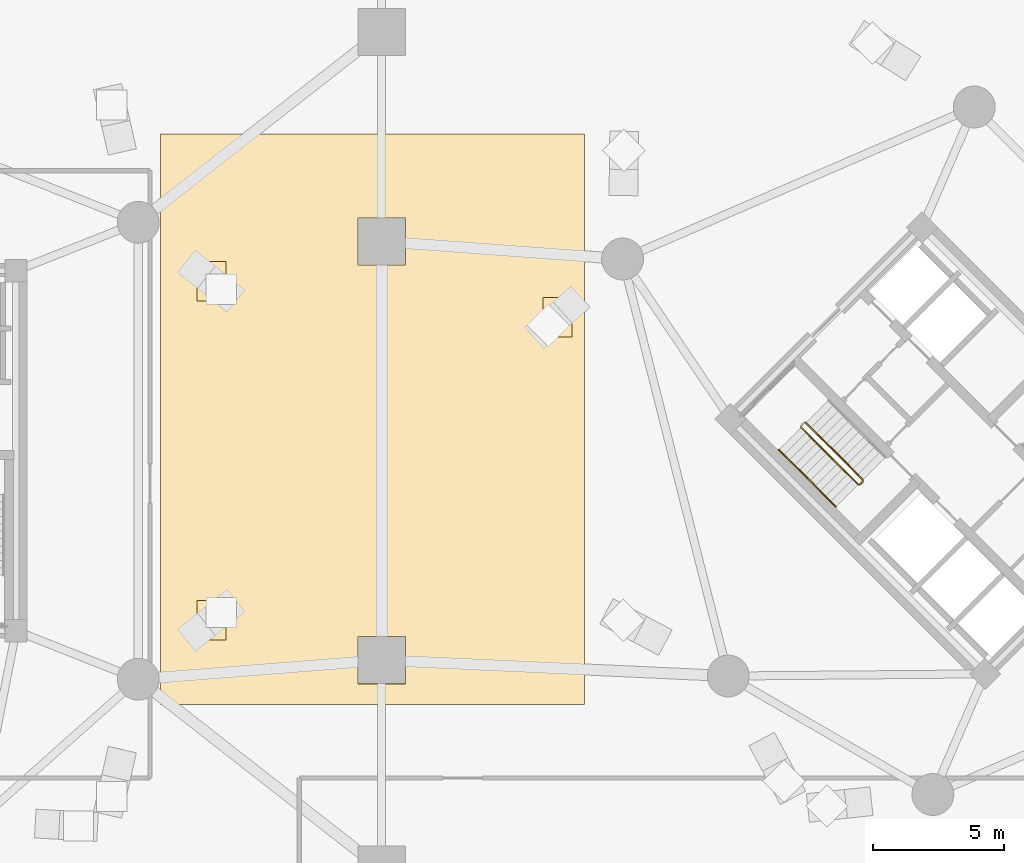
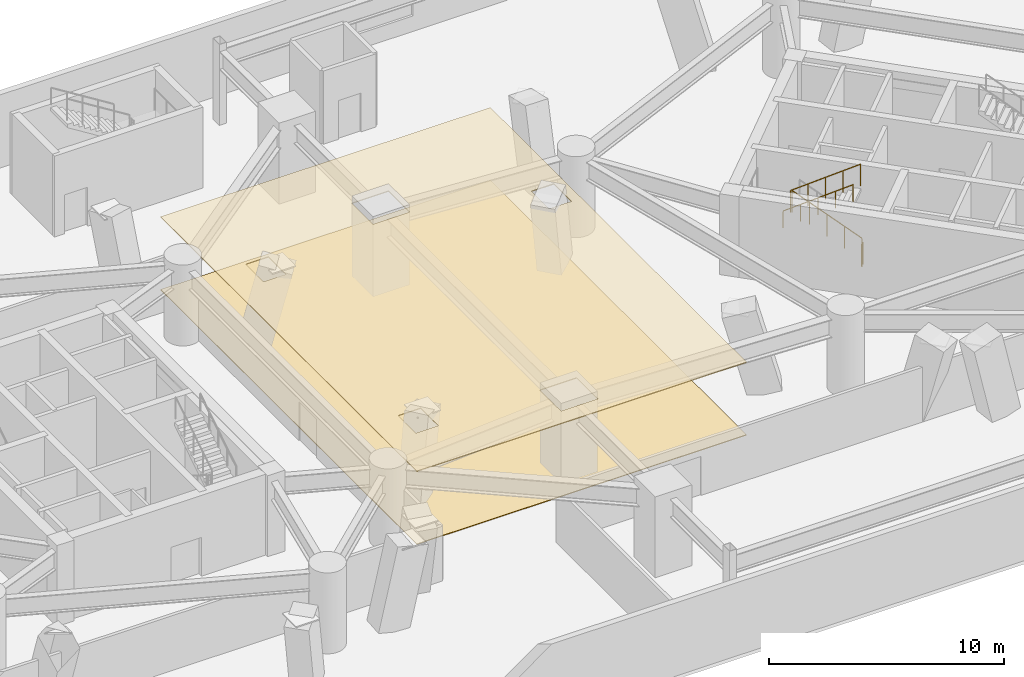
# One storey, part 17 of 20: 4 railings, 2 coverings.
"""IFC4 building model written with IfcOpenShell, lengths in metres."""

from ifc_helpers import new_model, si_unit, direction, frame, origin, origin_2d, place, context, subcontext, project, spatial, polyline, circle, outline, extrude, material, layer, layer_set, type_object, element, save


model = new_model("IFC4")

# Units and contexts
model_context = context("Model", 3, precision=1e-05, world=origin(), true_north=direction((0.0, 1.0)))
body_context = subcontext(model_context, "Body", "Model", "MODEL_VIEW")
ifc_project = project(units=[si_unit("LENGTHUNIT", "METRE"), si_unit("AREAUNIT", "SQUARE_METRE"), si_unit("VOLUMEUNIT", "CUBIC_METRE"), si_unit("PLANEANGLEUNIT", "RADIAN"), si_unit("MASSUNIT", "GRAM", prefix="KILO")], contexts=[model_context])

# Site, building, storey
site_placement = place(None, origin())
site = spatial("IfcSite", under=ifc_project, at=site_placement, CompositionType="ELEMENT")
building_placement = place(site_placement, origin())
building = spatial("IfcBuilding", under=site, at=building_placement, Name="Cununo Teusaquillo Station Towers", CompositionType="ELEMENT")
storey_placement = place(building_placement, frame((0.0, 0.0, 13.199951171875)))
storey = spatial("IfcBuildingStorey", under=building, at=storey_placement, Name="L03", CompositionType="ELEMENT", Elevation=13.199951171875)

# Coverings
ifc_material_1 = material(Name="Mineral-fibre acoustic suspended ceiling tile", Category="finish")
ifc_layer_1 = layer(ifc_material_1, 0.044921875)
ifc_layer_set_1 = layer_set([ifc_layer_1], Name="Mineral-fibre acoustic suspended ceiling tile")
covering_type_1 = type_object("IfcCoveringType", Name="COV-CEIL-600", PredefinedType="CEILING", material=ifc_layer_set_1)
covering_1_placement = place(storey_placement, frame((0.0, 0.0, 3.77001953125)))
element("IfcCovering", 1, at=covering_1_placement, inside=storey, type_object=covering_type_1, Name="L03 Suspended Acoustic Ceiling", PredefinedType="CEILING", context=body_context, shape_type="SweptSolid", body=[
    extrude(outline(polyline([(27.199951171875, 36.60009765625), (43.39990234375, 36.60009765625), (43.39990234375, 14.800048828125), (27.199951171875, 14.800048828125), (27.199951171875, 36.60009765625)]), holes=[polyline([(34.74609375, 15.595947265625), (36.553955078125, 15.595947265625), (36.553955078125, 17.404052734375), (34.74609375, 17.404052734375), (34.74609375, 15.595947265625)]), polyline([(28.58251953125, 17.264404296875), (29.6904296875, 17.264404296875), (29.6904296875, 18.772705078125), (28.58251953125, 18.772705078125), (28.58251953125, 17.264404296875)]), polyline([(42.913330078125, 28.84326171875), (42.913330078125, 30.351318359375), (41.805419921875, 30.351318359375), (41.805419921875, 28.84326171875), (42.913330078125, 28.84326171875)]), polyline([(28.58251953125, 30.227294921875), (29.6904296875, 30.227294921875), (29.6904296875, 31.735595703125), (28.58251953125, 31.735595703125), (28.58251953125, 30.227294921875)]), polyline([(34.74609375, 31.595947265625), (36.553955078125, 31.595947265625), (36.553955078125, 33.404052734375), (34.74609375, 33.404052734375), (34.74609375, 31.595947265625)])]), origin(), (0.0, 0.0, 1.0), 0.044921875),
])
ifc_material_2 = material(Name="Polished basalt-chip terrazzo floor finish", Category="masonry")
ifc_layer_2 = layer(ifc_material_2, 0.034912109375)
ifc_layer_set_2 = layer_set([ifc_layer_2], Name="Polished basalt-chip terrazzo floor finish")
covering_type_2 = type_object("IfcCoveringType", Name="COV-FLR-TERR", PredefinedType="FLOORING", material=ifc_layer_set_2)
covering_2_placement = place(storey_placement, origin())
element("IfcCovering", 2, at=covering_2_placement, inside=storey, type_object=covering_type_2, Name="L03 Polished Terrazzo Floor Finish", PredefinedType="FLOORING", context=body_context, shape_type="SweptSolid", body=[
    extrude(outline(polyline([(27.199951171875, 14.800048828125), (43.39990234375, 14.800048828125), (43.39990234375, 36.60009765625), (27.199951171875, 36.60009765625), (27.199951171875, 14.800048828125)])), origin(), (0.0, 0.0, 1.0), 0.03515625),
])

# Railings
ifc_material_3 = material(Name="Steel EN 10025-2 S355J2", Category="steel")
railing_type_1 = type_object("IfcRailingType", Name="RL-INT-GUARD", PredefinedType="GUARDRAIL", material=ifc_material_3)
railing_1_placement = place(storey_placement, frame((54.03515625, 23.39697265625, 0.175048828125)))
element("IfcRailing", 3, at=railing_1_placement, inside=storey, type_object=railing_type_1, Name="L03 ST-T2-1 stair guard 1", PredefinedType="GUARDRAIL", context=body_context, shape_type="SweptSolid", body=[
    extrude(circle(Radius=0.02392578125, at=origin_2d()), frame((0.0, 0.0, 1.1259765625), z_axis=(-0.599609127936, 0.599609127936, 0.530035647284), x_axis=(-0.707106781187, -0.707106781187, 0.0)), (0.0, 0.0, 1.0), 3.6318359375),
    extrude(circle(Radius=0.02099609375, at=origin_2d()), origin(), (0.0, 0.0, 1.0), 1.101806640625),
    extrude(circle(Radius=0.02099609375, at=origin_2d()), frame((-0.54443359375, 0.54443359375, 0.481201171875)), (0.0, 0.0, 1.0), 1.101806640625),
    extrude(circle(Radius=0.02099609375, at=origin_2d()), frame((-1.0888671875, 1.0888671875, 0.96240234375)), (0.0, 0.0, 1.0), 1.101806640625),
    extrude(circle(Radius=0.02099609375, at=origin_2d()), frame((-1.63330078125, 1.63330078125, 1.44384765625)), (0.0, 0.0, 1.0), 1.101806640625),
    extrude(circle(Radius=0.02099609375, at=origin_2d()), frame((-2.177734375, 2.177734375, 1.925048828125)), (0.0, 0.0, 1.0), 1.101806640625),
])
railing_2_placement = place(storey_placement, frame((51.673583984375, 25.390869140625, 2.275146484375)))
element("IfcRailing", 4, at=railing_2_placement, inside=storey, type_object=railing_type_1, Name="L03 ST-T2-1 stair guard 4", PredefinedType="GUARDRAIL", context=body_context, shape_type="SweptSolid", body=[
    extrude(circle(Radius=0.02392578125, at=origin_2d()), frame((0.0, 0.0, 1.1259765625), z_axis=(0.599630491434, -0.599630491434, 0.529987308797), x_axis=(0.707106781187, 0.707106781187, 0.0)), (0.0, 0.0, 1.0), 3.6318359375),
    extrude(circle(Radius=0.02099609375, at=origin_2d()), origin(), (0.0, 0.0, 1.0), 1.101806640625),
    extrude(circle(Radius=0.02099609375, at=origin_2d()), frame((0.54443359375, -0.54443359375, 0.481201171875)), (0.0, 0.0, 1.0), 1.101806640625),
    extrude(circle(Radius=0.02099609375, at=origin_2d()), frame((1.0888671875, -1.0888671875, 0.96240234375)), (0.0, 0.0, 1.0), 1.101806640625),
    extrude(circle(Radius=0.02099609375, at=origin_2d()), frame((1.63330078125, -1.63330078125, 1.443603515625)), (0.0, 0.0, 1.0), 1.101806640625),
    extrude(circle(Radius=0.02099609375, at=origin_2d()), frame((2.177734375, -2.177734375, 1.9248046875)), (0.0, 0.0, 1.0), 1.101806640625),
])
railing_3_placement = place(storey_placement, frame((54.03515625, 23.326171875, 0.0)))
element("IfcRailing", 5, at=railing_3_placement, inside=storey, type_object=railing_type_1, Name="L03 ST-T2-1 stair guard 5", PredefinedType="GUARDRAIL", context=body_context, shape_type="SweptSolid", body=[
    extrude(circle(Radius=0.02392578125, at=origin_2d()), frame((0.0, 0.0, 1.1259765625), z_axis=(-0.707106781187, -0.707106781187, 0.0), x_axis=(0.707106781187, -0.707106781187, 0.0)), (0.0, 0.0, 1.0), 0.159912109375),
    extrude(circle(Radius=0.02099609375, at=origin_2d()), origin(), (0.0, 0.0, 1.0), 1.101806640625),
    extrude(circle(Radius=0.02099609375, at=origin_2d()), frame((-0.113037109375, -0.113037109375, 0.0)), (0.0, 0.0, 1.0), 1.101806640625),
])
ifc_material_4 = material(Name="Steel EN 10025-2 S355J2", Category="steel")
railing_type_2 = type_object("IfcRailingType", Name="RL-INT-HRAIL", PredefinedType="HANDRAIL", material=ifc_material_4)
railing_4_placement = place(storey_placement, frame((50.824951171875, 24.54248046875, 2.275146484375)))
element("IfcRailing", 6, at=railing_4_placement, inside=storey, type_object=railing_type_2, Name="L03 ST-T2-1 stair handrail 2", PredefinedType="HANDRAIL", context=body_context, shape_type="SweptSolid", body=[
    extrude(circle(Radius=0.02392578125, at=origin_2d()), frame((0.0, 0.0, 0.8759765625), z_axis=(0.599649371229, -0.599649371229, 0.529944584998), x_axis=(0.707106781187, 0.707106781187, 0.0)), (0.0, 0.0, 1.0), 3.632080078125),
    extrude(circle(Radius=0.02099609375, at=origin_2d()), origin(), (0.0, 0.0, 1.0), 0.851806640625),
    extrude(circle(Radius=0.02099609375, at=origin_2d()), frame((0.54443359375, -0.54443359375, 0.481201171875)), (0.0, 0.0, 1.0), 0.851806640625),
    extrude(circle(Radius=0.02099609375, at=origin_2d()), frame((1.0888671875, -1.0888671875, 0.96240234375)), (0.0, 0.0, 1.0), 0.851806640625),
    extrude(circle(Radius=0.02099609375, at=origin_2d()), frame((1.633544921875, -1.633544921875, 1.443603515625)), (0.0, 0.0, 1.0), 0.851806640625),
    extrude(circle(Radius=0.02099609375, at=origin_2d()), frame((2.177978515625, -2.177978515625, 1.9248046875)), (0.0, 0.0, 1.0), 0.851806640625),
])

save(model, "model.ifc")
